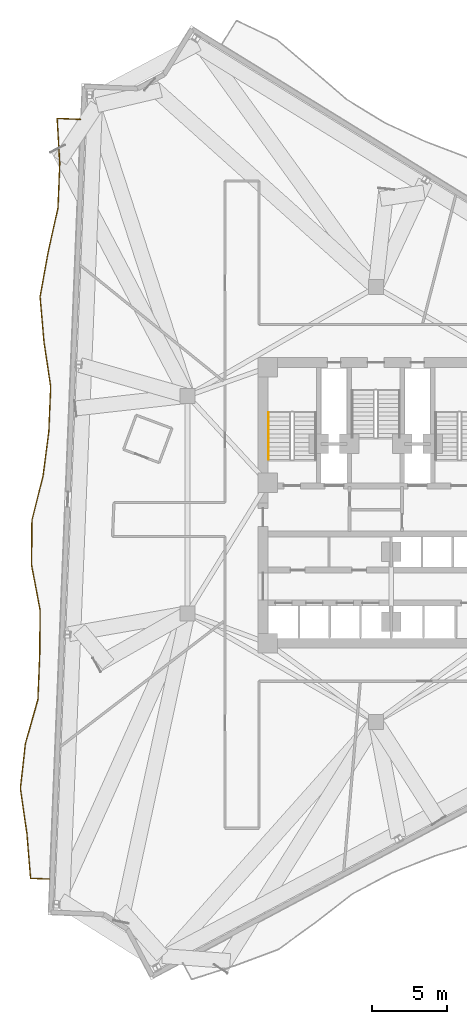
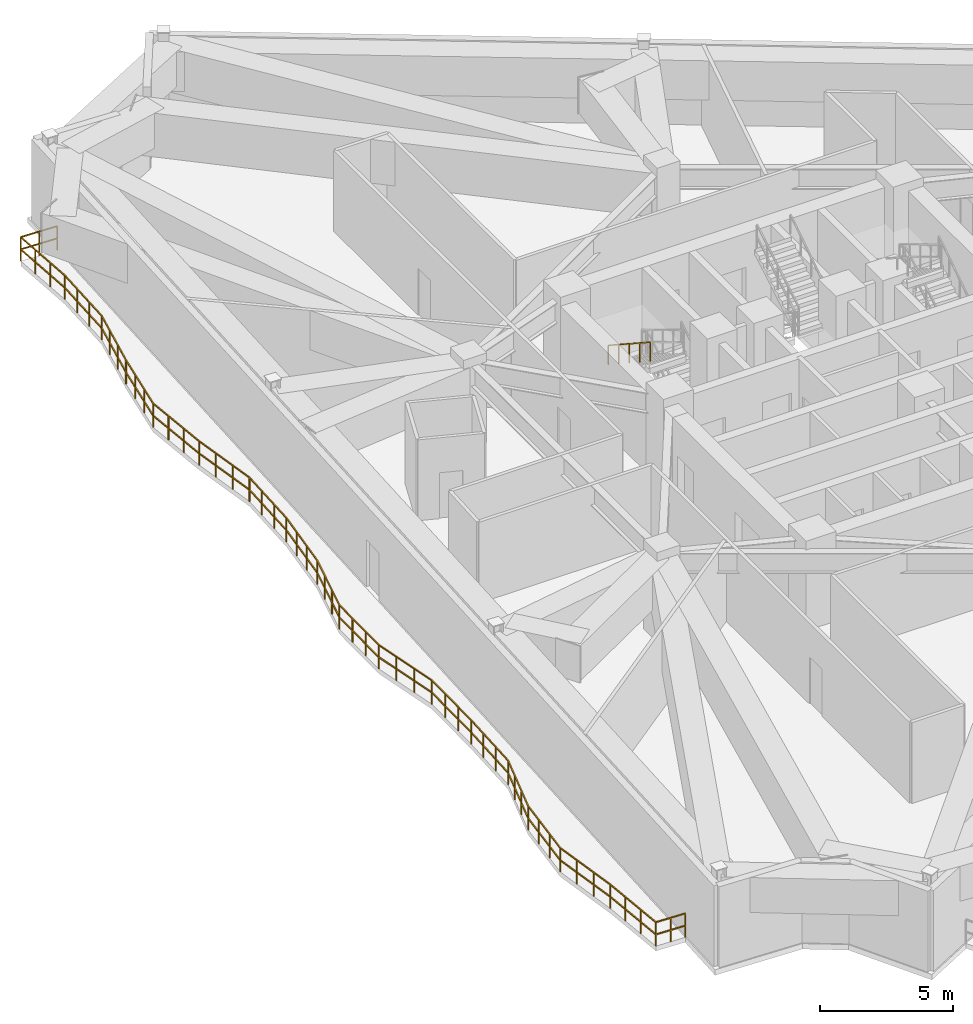
# One storey, part 12 of 14: 2 railings.
"""IFC4 building model written with IfcOpenShell, lengths in metres."""

from ifc_helpers import new_model, si_unit, direction, frame, origin, origin_2d, place, context, subcontext, project, spatial, rectangle, extrude, material, type_object, element, save


model = new_model("IFC4")

# Units and contexts
model_context = context("Model", 3, precision=1e-05, world=origin(), true_north=direction((0.0, 1.0)))
body_context = subcontext(model_context, "Body", "Model", "MODEL_VIEW")
ifc_project = project(units=[si_unit("LENGTHUNIT", "METRE"), si_unit("AREAUNIT", "SQUARE_METRE"), si_unit("VOLUMEUNIT", "CUBIC_METRE"), si_unit("PLANEANGLEUNIT", "RADIAN"), si_unit("MASSUNIT", "GRAM", prefix="KILO")], contexts=[model_context])

# Site, building, storey
site_placement = place(None, origin())
site = spatial("IfcSite", under=ifc_project, at=site_placement, CompositionType="ELEMENT")
building_placement = place(site_placement, origin())
building = spatial("IfcBuilding", under=site, at=building_placement, Name="Apsidion Concourse Tower", CompositionType="ELEMENT")
storey_placement = place(building_placement, frame((0.0, 0.0, 190.10009765625)))
storey = spatial("IfcBuildingStorey", under=building, at=storey_placement, Name="L44", CompositionType="ELEMENT", Elevation=190.10009765625)

# Railings
ifc_material = material(Name="Brushed stainless steel 316", Category="steel")
railing_type_1 = type_object("IfcRailingType", Name="RL-BAL-1120", PredefinedType="BALUSTRADE", material=ifc_material)
railing_1_placement = place(storey_placement, frame((-21.777587890625, -24.97802734375, 0.0)))
element("IfcRailing", 1, at=railing_1_placement, inside=storey, type_object=railing_type_1, Name="L44 Face 1 Rippling Balcony Balustrade", PredefinedType="BALUSTRADE", context=body_context, shape_type="SweptSolid", body=[
    extrude(rectangle(XDim=0.048095703125, YDim=0.048095703125, at=origin_2d()), frame((0.0, 0.0, 1.09619140625), z_axis=(-0.999166265244, 0.040826148472, 0.0), x_axis=(-0.040826148472, -0.999166265244, 0.0)), (0.0, 0.0, 1.0), 1.249755859375),
    extrude(rectangle(XDim=0.048095703125, YDim=0.048095703125, at=origin_2d()), frame((0.0, 0.0, 0.5361328125), z_axis=(-0.999166265244, 0.040826148472, 0.0), x_axis=(-0.040826148472, -0.999166265244, 0.0)), (0.0, 0.0, 1.0), 1.249755859375),
    extrude(rectangle(XDim=0.048095703125, YDim=0.048095703125, at=origin_2d()), frame((-1.248779296875, 0.051025390625, 1.09619140625), z_axis=(-0.082279155916, 0.996609321902, 0.0), x_axis=(-0.996609321902, -0.082279155916, 0.0)), (0.0, 0.0, 1.0), 3.005859375),
    extrude(rectangle(XDim=0.048095703125, YDim=0.048095703125, at=origin_2d()), frame((-1.248779296875, 0.051025390625, 0.5361328125), z_axis=(-0.082279155916, 0.996609321902, 0.0), x_axis=(-0.996609321902, -0.082279155916, 0.0)), (0.0, 0.0, 1.0), 3.005859375),
    extrude(rectangle(XDim=0.048095703125, YDim=0.048095703125, at=origin_2d()), frame((-1.49609375, 3.046630859375, 1.09619140625), z_axis=(-0.142040997472, 0.989860775583, 0.0), x_axis=(-0.989860775583, -0.142040997472, 0.0)), (0.0, 0.0, 1.0), 3.03369140625),
    extrude(rectangle(XDim=0.048095703125, YDim=0.048095703125, at=origin_2d()), frame((-1.49609375, 3.046630859375, 0.5361328125), z_axis=(-0.142040997472, 0.989860775583, 0.0), x_axis=(-0.989860775583, -0.142040997472, 0.0)), (0.0, 0.0, 1.0), 3.03369140625),
    extrude(rectangle(XDim=0.048095703125, YDim=0.048095703125, at=origin_2d()), frame((-1.927001953125, 6.049560546875, 1.09619140625), z_axis=(0.110144753601, 0.9939155564, 0.0), x_axis=(-0.9939155564, 0.110144753601, 0.0)), (0.0, 0.0, 1.0), 2.990234375),
    extrude(rectangle(XDim=0.048095703125, YDim=0.048095703125, at=origin_2d()), frame((-1.927001953125, 6.049560546875, 0.5361328125), z_axis=(0.110144753601, 0.9939155564, 0.0), x_axis=(-0.9939155564, 0.110144753601, 0.0)), (0.0, 0.0, 1.0), 2.990234375),
    extrude(rectangle(XDim=0.048095703125, YDim=0.048095703125, at=origin_2d()), frame((-1.59765625, 9.021484375, 1.09619140625), z_axis=(0.272439252907, 0.962172985214, 0.0), x_axis=(-0.962172985214, 0.272439252907, 0.0)), (0.0, 0.0, 1.0), 3.0673828125),
    extrude(rectangle(XDim=0.048095703125, YDim=0.048095703125, at=origin_2d()), frame((-1.59765625, 9.021484375, 0.5361328125), z_axis=(0.272439252907, 0.962172985214, 0.0), x_axis=(-0.962172985214, 0.272439252907, 0.0)), (0.0, 0.0, 1.0), 3.0673828125),
    extrude(rectangle(XDim=0.048095703125, YDim=0.048095703125, at=origin_2d()), frame((-0.761962890625, 11.972900390625, 1.09619140625), z_axis=(0.040840733039, 0.999165669209, 0.0), x_axis=(-0.999165669209, 0.040840733039, 0.0)), (0.0, 0.0, 1.0), 2.98291015625),
    extrude(rectangle(XDim=0.048095703125, YDim=0.048095703125, at=origin_2d()), frame((-0.761962890625, 11.972900390625, 0.5361328125), z_axis=(0.040840733039, 0.999165669209, 0.0), x_axis=(-0.999165669209, 0.040840733039, 0.0)), (0.0, 0.0, 1.0), 2.98291015625),
    extrude(rectangle(XDim=0.048095703125, YDim=0.048095703125, at=origin_2d()), frame((-0.64013671875, 14.953369140625, 1.09619140625), z_axis=(0.008589342821, 0.999963110915, 0.0), x_axis=(-0.999963110915, 0.008589342821, 0.0)), (0.0, 0.0, 1.0), 2.984375),
    extrude(rectangle(XDim=0.048095703125, YDim=0.048095703125, at=origin_2d()), frame((-0.64013671875, 14.953369140625, 0.5361328125), z_axis=(0.008589342821, 0.999963110915, 0.0), x_axis=(-0.999963110915, 0.008589342821, 0.0)), (0.0, 0.0, 1.0), 2.984375),
    extrude(rectangle(XDim=0.048095703125, YDim=0.048095703125, at=origin_2d()), frame((-0.614501953125, 17.937744140625, 1.09619140625), z_axis=(-0.186386721694, 0.982476457721, 0.0), x_axis=(-0.982476457721, -0.186386721694, 0.0)), (0.0, 0.0, 1.0), 3.0625),
    extrude(rectangle(XDim=0.048095703125, YDim=0.048095703125, at=origin_2d()), frame((-0.614501953125, 17.937744140625, 0.5361328125), z_axis=(-0.186386721694, 0.982476457721, 0.0), x_axis=(-0.982476457721, -0.186386721694, 0.0)), (0.0, 0.0, 1.0), 3.0625),
    extrude(rectangle(XDim=0.048095703125, YDim=0.048095703125, at=origin_2d()), frame((-1.185302734375, 20.946533203125, 1.09619140625), z_axis=(0.008916530343, 0.999960246953, 0.0), x_axis=(-0.999960246953, 0.008916530343, 0.0)), (0.0, 0.0, 1.0), 2.984375),
    extrude(rectangle(XDim=0.048095703125, YDim=0.048095703125, at=origin_2d()), frame((-1.185302734375, 20.946533203125, 0.5361328125), z_axis=(0.008916530343, 0.999960246953, 0.0), x_axis=(-0.999960246953, 0.008916530343, 0.0)), (0.0, 0.0, 1.0), 2.984375),
    extrude(rectangle(XDim=0.048095703125, YDim=0.048095703125, at=origin_2d()), frame((-1.15869140625, 23.930908203125, 1.09619140625), z_axis=(0.243044674572, 0.970015095843, 0.0), x_axis=(-0.970015095843, 0.243044674572, 0.0)), (0.0, 0.0, 1.0), 3.046630859375),
    extrude(rectangle(XDim=0.048095703125, YDim=0.048095703125, at=origin_2d()), frame((-1.15869140625, 23.930908203125, 0.5361328125), z_axis=(0.243044674572, 0.970015095843, 0.0), x_axis=(-0.970015095843, 0.243044674572, 0.0)), (0.0, 0.0, 1.0), 3.046630859375),
    extrude(rectangle(XDim=0.048095703125, YDim=0.048095703125, at=origin_2d()), frame((-0.418212890625, 26.88623046875, 1.09619140625), z_axis=(0.129140513551, 0.991626304492, 0.0), x_axis=(-0.991626304492, 0.129140513551, 0.0)), (0.0, 0.0, 1.0), 2.99462890625),
    extrude(rectangle(XDim=0.048095703125, YDim=0.048095703125, at=origin_2d()), frame((-0.418212890625, 26.88623046875, 0.5361328125), z_axis=(0.129140513551, 0.991626304492, 0.0), x_axis=(-0.991626304492, 0.129140513551, 0.0)), (0.0, 0.0, 1.0), 2.99462890625),
    extrude(rectangle(XDim=0.048095703125, YDim=0.048095703125, at=origin_2d()), frame((-0.031494140625, 29.855712890625, 1.09619140625), z_axis=(0.040837393484, 0.999165805707, 0.0), x_axis=(-0.999165805707, 0.040837393484, 0.0)), (0.0, 0.0, 1.0), 2.983154296875),
    extrude(rectangle(XDim=0.048095703125, YDim=0.048095703125, at=origin_2d()), frame((-0.031494140625, 29.855712890625, 0.5361328125), z_axis=(0.040837393484, 0.999165805707, 0.0), x_axis=(-0.999165805707, 0.040837393484, 0.0)), (0.0, 0.0, 1.0), 2.983154296875),
    extrude(rectangle(XDim=0.048095703125, YDim=0.048095703125, at=origin_2d()), frame((0.09033203125, 32.83642578125, 1.09619140625), z_axis=(-0.147046890704, 0.989129522325, 0.0), x_axis=(-0.989129522325, -0.147046890704, 0.0)), (0.0, 0.0, 1.0), 3.03662109375),
    extrude(rectangle(XDim=0.048095703125, YDim=0.048095703125, at=origin_2d()), frame((0.09033203125, 32.83642578125, 0.5361328125), z_axis=(-0.147046890704, 0.989129522325, 0.0), x_axis=(-0.989129522325, -0.147046890704, 0.0)), (0.0, 0.0, 1.0), 3.03662109375),
    extrude(rectangle(XDim=0.048095703125, YDim=0.048095703125, at=origin_2d()), frame((-0.356201171875, 35.840087890625, 1.09619140625), z_axis=(-0.086142618182, 0.996282815938, 0.0), x_axis=(-0.996282815938, -0.086142618182, 0.0)), (0.0, 0.0, 1.0), 3.007080078125),
    extrude(rectangle(XDim=0.048095703125, YDim=0.048095703125, at=origin_2d()), frame((-0.356201171875, 35.840087890625, 0.5361328125), z_axis=(-0.086142618182, 0.996282815938, 0.0), x_axis=(-0.996282815938, -0.086142618182, 0.0)), (0.0, 0.0, 1.0), 3.007080078125),
    extrude(rectangle(XDim=0.048095703125, YDim=0.048095703125, at=origin_2d()), frame((-0.615234375, 38.8359375, 1.09619140625), z_axis=(0.177465527736, 0.984127017445, 0.0), x_axis=(-0.984127017445, 0.177465527736, 0.0)), (0.0, 0.0, 1.0), 3.011474609375),
    extrude(rectangle(XDim=0.048095703125, YDim=0.048095703125, at=origin_2d()), frame((-0.615234375, 38.8359375, 0.5361328125), z_axis=(0.177465527736, 0.984127017445, 0.0), x_axis=(-0.984127017445, 0.177465527736, 0.0)), (0.0, 0.0, 1.0), 3.011474609375),
    extrude(rectangle(XDim=0.048095703125, YDim=0.048095703125, at=origin_2d()), frame((-0.080810546875, 41.799560546875, 1.09619140625), z_axis=(0.217075440878, 0.976154830428, 0.0), x_axis=(-0.976154830428, 0.217075440878, 0.0)), (0.0, 0.0, 1.0), 3.031005859375),
    extrude(rectangle(XDim=0.048095703125, YDim=0.048095703125, at=origin_2d()), frame((-0.080810546875, 41.799560546875, 0.5361328125), z_axis=(0.217075440878, 0.976154830428, 0.0), x_axis=(-0.976154830428, 0.217075440878, 0.0)), (0.0, 0.0, 1.0), 3.031005859375),
    extrude(rectangle(XDim=0.048095703125, YDim=0.048095703125, at=origin_2d()), frame((0.5771484375, 44.75830078125, 1.09619140625), z_axis=(0.040840733039, 0.999165669209, 0.0), x_axis=(-0.999165669209, 0.040840733039, 0.0)), (0.0, 0.0, 1.0), 2.98291015625),
    extrude(rectangle(XDim=0.048095703125, YDim=0.048095703125, at=origin_2d()), frame((0.5771484375, 44.75830078125, 0.5361328125), z_axis=(0.040840733039, 0.999165669209, 0.0), x_axis=(-0.999165669209, 0.040840733039, 0.0)), (0.0, 0.0, 1.0), 2.98291015625),
    extrude(rectangle(XDim=0.048095703125, YDim=0.048095703125, at=origin_2d()), frame((0.698974609375, 47.73876953125, 1.09619140625), z_axis=(-0.059366473346, 0.998236255524, 0.0), x_axis=(-0.998236255524, -0.059366473346, 0.0)), (0.0, 0.0, 1.0), 2.998046875),
    extrude(rectangle(XDim=0.048095703125, YDim=0.048095703125, at=origin_2d()), frame((0.698974609375, 47.73876953125, 0.5361328125), z_axis=(-0.059366473346, 0.998236255524, 0.0), x_axis=(-0.998236255524, -0.059366473346, 0.0)), (0.0, 0.0, 1.0), 2.998046875),
    extrude(rectangle(XDim=0.048095703125, YDim=0.048095703125, at=origin_2d()), frame((0.52099609375, 50.7314453125, 1.09619140625), z_axis=(0.999167397991, -0.040798416535, 0.0), x_axis=(0.040798416535, 0.999167397991, 0.0)), (0.0, 0.0, 1.0), 1.5498046875),
    extrude(rectangle(XDim=0.048095703125, YDim=0.048095703125, at=origin_2d()), frame((0.52099609375, 50.7314453125, 0.5361328125), z_axis=(0.999167397991, -0.040798416535, 0.0), x_axis=(0.040798416535, 0.999167397991, 0.0)), (0.0, 0.0, 1.0), 1.5498046875),
    extrude(rectangle(XDim=0.0419921875, YDim=0.0419921875, at=origin_2d()), origin(), (0.0, 0.0, 1.0), 1.072021484375),
    extrude(rectangle(XDim=0.0419921875, YDim=0.0419921875, at=origin_2d()), frame((-0.62451171875, 0.025390625, 0.0)), (0.0, 0.0, 1.0), 1.072021484375),
    extrude(rectangle(XDim=0.0419921875, YDim=0.0419921875, at=origin_2d()), frame((-1.248779296875, 0.051025390625, 0.0)), (0.0, 0.0, 1.0), 1.072021484375),
    extrude(rectangle(XDim=0.0419921875, YDim=0.0419921875, at=origin_2d()), frame((-1.331298828125, 1.049560546875, 0.0)), (0.0, 0.0, 1.0), 1.072021484375),
    extrude(rectangle(XDim=0.0419921875, YDim=0.0419921875, at=origin_2d()), frame((-1.41357421875, 2.048095703125, 0.0)), (0.0, 0.0, 1.0), 1.072021484375),
    extrude(rectangle(XDim=0.0419921875, YDim=0.0419921875, at=origin_2d()), frame((-1.49609375, 3.046630859375, 0.0)), (0.0, 0.0, 1.0), 1.072021484375),
    extrude(rectangle(XDim=0.0419921875, YDim=0.0419921875, at=origin_2d()), frame((-1.6396484375, 4.047607421875, 0.0)), (0.0, 0.0, 1.0), 1.072021484375),
    extrude(rectangle(XDim=0.0419921875, YDim=0.0419921875, at=origin_2d()), frame((-1.783447265625, 5.048583984375, 0.0)), (0.0, 0.0, 1.0), 1.072021484375),
    extrude(rectangle(XDim=0.0419921875, YDim=0.0419921875, at=origin_2d()), frame((-1.927001953125, 6.049560546875, 0.0)), (0.0, 0.0, 1.0), 1.072021484375),
    extrude(rectangle(XDim=0.0419921875, YDim=0.0419921875, at=origin_2d()), frame((-1.817138671875, 7.040283203125, 0.0)), (0.0, 0.0, 1.0), 1.072021484375),
    extrude(rectangle(XDim=0.0419921875, YDim=0.0419921875, at=origin_2d()), frame((-1.70751953125, 8.03076171875, 0.0)), (0.0, 0.0, 1.0), 1.072021484375),
    extrude(rectangle(XDim=0.0419921875, YDim=0.0419921875, at=origin_2d()), frame((-1.59765625, 9.021484375, 0.0)), (0.0, 0.0, 1.0), 1.072021484375),
    extrude(rectangle(XDim=0.0419921875, YDim=0.0419921875, at=origin_2d()), frame((-1.319091796875, 10.00537109375, 0.0)), (0.0, 0.0, 1.0), 1.072021484375),
    extrude(rectangle(XDim=0.0419921875, YDim=0.0419921875, at=origin_2d()), frame((-1.04052734375, 10.989013671875, 0.0)), (0.0, 0.0, 1.0), 1.072021484375),
    extrude(rectangle(XDim=0.0419921875, YDim=0.0419921875, at=origin_2d()), frame((-0.761962890625, 11.972900390625, 0.0)), (0.0, 0.0, 1.0), 1.072021484375),
    extrude(rectangle(XDim=0.0419921875, YDim=0.0419921875, at=origin_2d()), frame((-0.721435546875, 12.96630859375, 0.0)), (0.0, 0.0, 1.0), 1.072021484375),
    extrude(rectangle(XDim=0.0419921875, YDim=0.0419921875, at=origin_2d()), frame((-0.6806640625, 13.9599609375, 0.0)), (0.0, 0.0, 1.0), 1.072021484375),
    extrude(rectangle(XDim=0.0419921875, YDim=0.0419921875, at=origin_2d()), frame((-0.64013671875, 14.953369140625, 0.0)), (0.0, 0.0, 1.0), 1.072021484375),
    extrude(rectangle(XDim=0.0419921875, YDim=0.0419921875, at=origin_2d()), frame((-0.631591796875, 15.9482421875, 0.0)), (0.0, 0.0, 1.0), 1.072021484375),
    extrude(rectangle(XDim=0.0419921875, YDim=0.0419921875, at=origin_2d()), frame((-0.623046875, 16.94287109375, 0.0)), (0.0, 0.0, 1.0), 1.072021484375),
    extrude(rectangle(XDim=0.0419921875, YDim=0.0419921875, at=origin_2d()), frame((-0.614501953125, 17.937744140625, 0.0)), (0.0, 0.0, 1.0), 1.072021484375),
    extrude(rectangle(XDim=0.0419921875, YDim=0.0419921875, at=origin_2d()), frame((-0.8046875, 18.940673828125, 0.0)), (0.0, 0.0, 1.0), 1.072021484375),
    extrude(rectangle(XDim=0.0419921875, YDim=0.0419921875, at=origin_2d()), frame((-0.9951171875, 19.943603515625, 0.0)), (0.0, 0.0, 1.0), 1.072021484375),
    extrude(rectangle(XDim=0.0419921875, YDim=0.0419921875, at=origin_2d()), frame((-1.185302734375, 20.946533203125, 0.0)), (0.0, 0.0, 1.0), 1.072021484375),
    extrude(rectangle(XDim=0.0419921875, YDim=0.0419921875, at=origin_2d()), frame((-1.176513671875, 21.94140625, 0.0)), (0.0, 0.0, 1.0), 1.072021484375),
    extrude(rectangle(XDim=0.0419921875, YDim=0.0419921875, at=origin_2d()), frame((-1.16748046875, 22.93603515625, 0.0)), (0.0, 0.0, 1.0), 1.072021484375),
    extrude(rectangle(XDim=0.0419921875, YDim=0.0419921875, at=origin_2d()), frame((-1.15869140625, 23.930908203125, 0.0)), (0.0, 0.0, 1.0), 1.072021484375),
    extrude(rectangle(XDim=0.0419921875, YDim=0.0419921875, at=origin_2d()), frame((-0.911865234375, 24.916015625, 0.0)), (0.0, 0.0, 1.0), 1.072021484375),
    extrude(rectangle(XDim=0.0419921875, YDim=0.0419921875, at=origin_2d()), frame((-0.6650390625, 25.901123046875, 0.0)), (0.0, 0.0, 1.0), 1.072021484375),
    extrude(rectangle(XDim=0.0419921875, YDim=0.0419921875, at=origin_2d()), frame((-0.418212890625, 26.88623046875, 0.0)), (0.0, 0.0, 1.0), 1.072021484375),
    extrude(rectangle(XDim=0.0419921875, YDim=0.0419921875, at=origin_2d()), frame((-0.289306640625, 27.8759765625, 0.0)), (0.0, 0.0, 1.0), 1.072021484375),
    extrude(rectangle(XDim=0.0419921875, YDim=0.0419921875, at=origin_2d()), frame((-0.160400390625, 28.865966796875, 0.0)), (0.0, 0.0, 1.0), 1.072021484375),
    extrude(rectangle(XDim=0.0419921875, YDim=0.0419921875, at=origin_2d()), frame((-0.031494140625, 29.855712890625, 0.0)), (0.0, 0.0, 1.0), 1.072021484375),
    extrude(rectangle(XDim=0.0419921875, YDim=0.0419921875, at=origin_2d()), frame((0.009033203125, 30.849365234375, 0.0)), (0.0, 0.0, 1.0), 1.072021484375),
    extrude(rectangle(XDim=0.0419921875, YDim=0.0419921875, at=origin_2d()), frame((0.0498046875, 31.8427734375, 0.0)), (0.0, 0.0, 1.0), 1.072021484375),
    extrude(rectangle(XDim=0.0419921875, YDim=0.0419921875, at=origin_2d()), frame((0.09033203125, 32.83642578125, 0.0)), (0.0, 0.0, 1.0), 1.072021484375),
    extrude(rectangle(XDim=0.0419921875, YDim=0.0419921875, at=origin_2d()), frame((-0.05859375, 33.837646484375, 0.0)), (0.0, 0.0, 1.0), 1.072021484375),
    extrude(rectangle(XDim=0.0419921875, YDim=0.0419921875, at=origin_2d()), frame((-0.207275390625, 34.8388671875, 0.0)), (0.0, 0.0, 1.0), 1.072021484375),
    extrude(rectangle(XDim=0.0419921875, YDim=0.0419921875, at=origin_2d()), frame((-0.356201171875, 35.840087890625, 0.0)), (0.0, 0.0, 1.0), 1.072021484375),
    extrude(rectangle(XDim=0.0419921875, YDim=0.0419921875, at=origin_2d()), frame((-0.442626953125, 36.838623046875, 0.0)), (0.0, 0.0, 1.0), 1.072021484375),
    extrude(rectangle(XDim=0.0419921875, YDim=0.0419921875, at=origin_2d()), frame((-0.52880859375, 37.83740234375, 0.0)), (0.0, 0.0, 1.0), 1.072021484375),
    extrude(rectangle(XDim=0.0419921875, YDim=0.0419921875, at=origin_2d()), frame((-0.615234375, 38.8359375, 0.0)), (0.0, 0.0, 1.0), 1.072021484375),
    extrude(rectangle(XDim=0.0419921875, YDim=0.0419921875, at=origin_2d()), frame((-0.43701171875, 39.82373046875, 0.0)), (0.0, 0.0, 1.0), 1.072021484375),
    extrude(rectangle(XDim=0.0419921875, YDim=0.0419921875, at=origin_2d()), frame((-0.259033203125, 40.811767578125, 0.0)), (0.0, 0.0, 1.0), 1.072021484375),
    extrude(rectangle(XDim=0.0419921875, YDim=0.0419921875, at=origin_2d()), frame((-0.080810546875, 41.799560546875, 0.0)), (0.0, 0.0, 1.0), 1.072021484375),
    extrude(rectangle(XDim=0.0419921875, YDim=0.0419921875, at=origin_2d()), frame((0.138427734375, 42.785888671875, 0.0)), (0.0, 0.0, 1.0), 1.072021484375),
    extrude(rectangle(XDim=0.0419921875, YDim=0.0419921875, at=origin_2d()), frame((0.35791015625, 43.77197265625, 0.0)), (0.0, 0.0, 1.0), 1.072021484375),
    extrude(rectangle(XDim=0.0419921875, YDim=0.0419921875, at=origin_2d()), frame((0.5771484375, 44.75830078125, 0.0)), (0.0, 0.0, 1.0), 1.072021484375),
    extrude(rectangle(XDim=0.0419921875, YDim=0.0419921875, at=origin_2d()), frame((0.61767578125, 45.751708984375, 0.0)), (0.0, 0.0, 1.0), 1.072021484375),
    extrude(rectangle(XDim=0.0419921875, YDim=0.0419921875, at=origin_2d()), frame((0.658447265625, 46.745361328125, 0.0)), (0.0, 0.0, 1.0), 1.072021484375),
    extrude(rectangle(XDim=0.0419921875, YDim=0.0419921875, at=origin_2d()), frame((0.698974609375, 47.73876953125, 0.0)), (0.0, 0.0, 1.0), 1.072021484375),
    extrude(rectangle(XDim=0.0419921875, YDim=0.0419921875, at=origin_2d()), frame((0.6396484375, 48.736328125, 0.0)), (0.0, 0.0, 1.0), 1.072021484375),
    extrude(rectangle(XDim=0.0419921875, YDim=0.0419921875, at=origin_2d()), frame((0.580322265625, 49.73388671875, 0.0)), (0.0, 0.0, 1.0), 1.072021484375),
    extrude(rectangle(XDim=0.0419921875, YDim=0.0419921875, at=origin_2d()), frame((0.52099609375, 50.7314453125, 0.0)), (0.0, 0.0, 1.0), 1.072021484375),
    extrude(rectangle(XDim=0.0419921875, YDim=0.0419921875, at=origin_2d()), frame((1.29541015625, 50.69970703125, 0.0)), (0.0, 0.0, 1.0), 1.072021484375),
    extrude(rectangle(XDim=0.0419921875, YDim=0.0419921875, at=origin_2d()), frame((2.069580078125, 50.668212890625, 0.0)), (0.0, 0.0, 1.0), 1.072021484375),
])
railing_type_2 = type_object("IfcRailingType", Name="RL-HAND-900", PredefinedType="HANDRAIL", material=ifc_material)
railing_2_placement = place(storey_placement, frame((-7.14990234375, 6.135009765625, 2.220703125)))
element("IfcRailing", 2, at=railing_2_placement, inside=storey, type_object=railing_type_2, Name="L44 ST1 stair handrail 2", PredefinedType="HANDRAIL", context=body_context, shape_type="SweptSolid", body=[
    extrude(rectangle(XDim=0.048095703125, YDim=0.048095703125, at=origin_2d()), frame((0.0, 0.0, 0.8759765625), z_axis=(0.0, -0.836940907821, 0.547293263996), x_axis=(1.0, 0.0, 0.0)), (0.0, 0.0, 1.0), 3.745849609375),
    extrude(rectangle(XDim=0.0419921875, YDim=0.0419921875, at=origin_2d()), origin(), (0.0, 0.0, 1.0), 0.851806640625),
    extrude(rectangle(XDim=0.0419921875, YDim=0.0419921875, at=origin_2d()), frame((0.0, -0.78369140625, 0.512451171875)), (0.0, 0.0, 1.0), 0.851806640625),
    extrude(rectangle(XDim=0.0419921875, YDim=0.0419921875, at=origin_2d()), frame((0.0, -1.5673828125, 1.02490234375)), (0.0, 0.0, 1.0), 0.851806640625),
    extrude(rectangle(XDim=0.0419921875, YDim=0.0419921875, at=origin_2d()), frame((0.0, -2.351318359375, 1.53759765625)), (0.0, 0.0, 1.0), 0.851806640625),
    extrude(rectangle(XDim=0.0419921875, YDim=0.0419921875, at=origin_2d()), frame((0.0, -3.135009765625, 2.050048828125)), (0.0, 0.0, 1.0), 0.851806640625),
])

save(model, "model.ifc")
